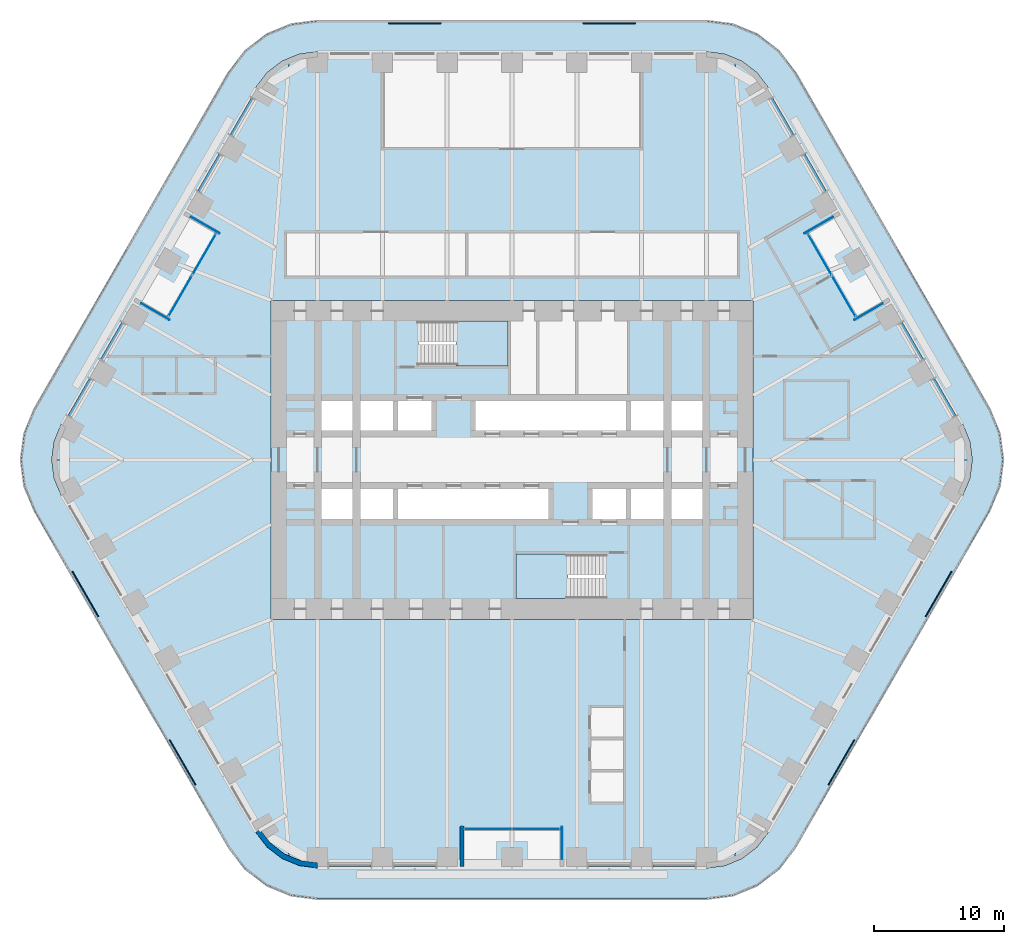
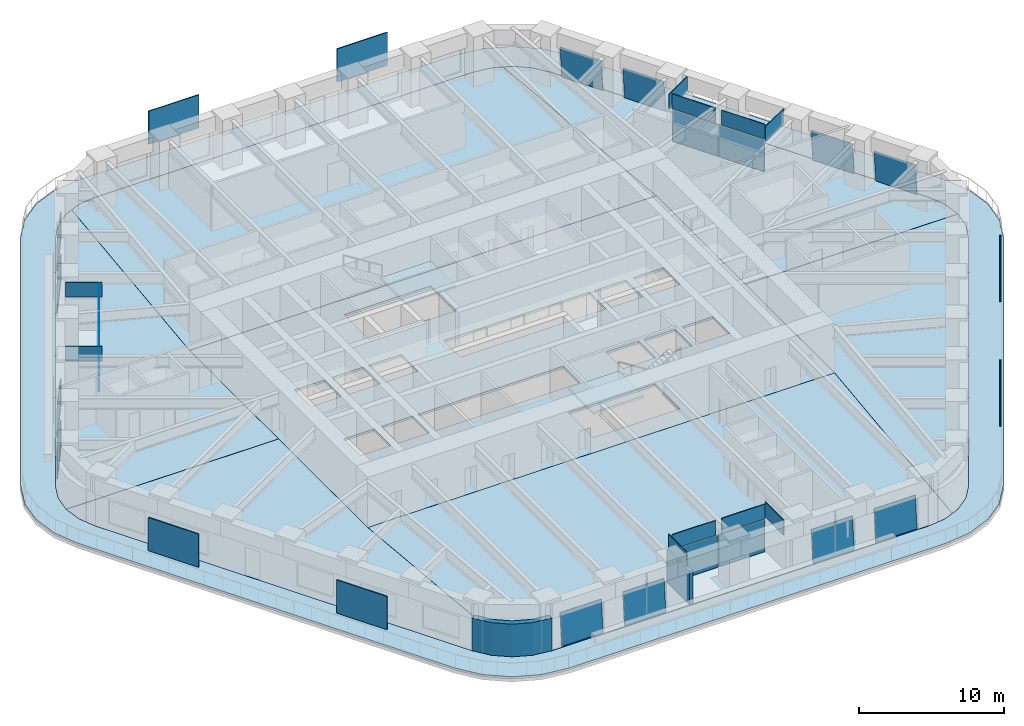
# One storey, part 16 of 24: 36 plates, 10 slabs, 2 walls, 17 elements without a shape of their own.
"""IFC4 building model written with IfcOpenShell, lengths in metres."""

from ifc_helpers import new_model, si_unit, direction, frame, frame_2d, origin, origin_2d, place, context, subcontext, project, spatial, polyline, rectangle, outline, extrude, material, layer, layer_set, type_object, element, aggregate, save


model = new_model("IFC4")

# Units and contexts
model_context = context("Model", 3, precision=1e-05, world=origin(), true_north=direction((0.0, 1.0)))
body_context = subcontext(model_context, "Body", "Model", "MODEL_VIEW")
ifc_project = project(units=[si_unit("LENGTHUNIT", "METRE"), si_unit("AREAUNIT", "SQUARE_METRE"), si_unit("VOLUMEUNIT", "CUBIC_METRE"), si_unit("PLANEANGLEUNIT", "RADIAN"), si_unit("MASSUNIT", "GRAM", prefix="KILO")], contexts=[model_context])

# Site, building, storey
site_placement = place(None, origin())
site = spatial("IfcSite", under=ifc_project, at=site_placement, CompositionType="ELEMENT")
building_placement = place(site_placement, origin())
building = spatial("IfcBuilding", under=site, at=building_placement, Name="Tarfa Lantern Tower", CompositionType="ELEMENT")
storey_placement = place(building_placement, frame((0.0, 0.0, 144.699951171875)))
storey = spatial("IfcBuildingStorey", under=building, at=storey_placement, Name="L32", CompositionType="ELEMENT", Elevation=144.699951171875)

# Slab
ifc_material_1 = material(Name="Concrete C40/50", Category="concrete")
ifc_layer_1 = layer(ifc_material_1, 0.199951171875)
ifc_layer_set_1 = layer_set([ifc_layer_1], Name="BS2 BALCONY SLAB 200")
slab_type_1 = type_object("IfcSlabType", Name="BS2 BALCONY SLAB 200", PredefinedType="FLOOR", material=ifc_layer_set_1)
slab_1_placement = place(storey_placement, frame((0.0, 0.0, -0.199951171875)))
element("IfcSlab", 1, at=slab_1_placement, inside=storey, type_object=slab_type_1, Name="Balcony L32", PredefinedType="FLOOR", context=body_context, shape_type="SweptSolid", body=[
    extrude(outline(polyline([(36.86376953125, 3.949951171875), (21.852783203125, 29.949951171875), (20.59716796875, 31.586181640625), (18.961181640625, 32.841552734375), (17.0556640625, 33.630859375), (15.010986328125, 33.89990234375), (-15.010986328125, 33.89990234375), (-17.0556640625, 33.630859375), (-18.961181640625, 32.841552734375), (-20.59716796875, 31.586181640625), (-21.852783203125, 29.949951171875), (-36.86376953125, 3.949951171875), (-37.653076171875, 2.044677734375), (-37.922119140625, 0.0), (-37.653076171875, -2.044677734375), (-36.86376953125, -3.949951171875), (-21.852783203125, -29.949951171875), (-20.59716796875, -31.586181640625), (-18.961181640625, -32.841552734375), (-17.0556640625, -33.630859375), (-15.010986328125, -33.89990234375), (15.010986328125, -33.89990234375), (17.0556640625, -33.630859375), (18.961181640625, -32.841552734375), (20.59716796875, -31.586181640625), (21.852783203125, -29.949951171875), (36.86376953125, -3.949951171875), (37.653076171875, -2.044677734375), (37.922119140625, 0.0), (37.653076171875, 2.044677734375), (36.86376953125, 3.949951171875)]), holes=[polyline([(34.785400390625, 2.75), (19.774169921875, 28.75), (18.900146484375, 29.88916015625), (17.760986328125, 30.76318359375), (16.4345703125, 31.3125), (15.010986328125, 31.5), (-15.010986328125, 31.5), (-16.4345703125, 31.3125), (-17.760986328125, 30.76318359375), (-18.900146484375, 29.88916015625), (-19.774169921875, 28.75), (-34.785400390625, 2.75), (-35.334716796875, 1.423583984375), (-35.522216796875, 0.0), (-35.334716796875, -1.423583984375), (-34.785400390625, -2.75), (-19.774169921875, -28.75), (-18.900146484375, -29.88916015625), (-17.760986328125, -30.76318359375), (-16.4345703125, -31.3125), (-15.010986328125, -31.5), (15.010986328125, -31.5), (16.4345703125, -31.3125), (17.760986328125, -30.76318359375), (18.900146484375, -29.88916015625), (19.774169921875, -28.75), (34.785400390625, -2.75), (35.334716796875, -1.423583984375), (35.522216796875, 0.0), (35.334716796875, 1.423583984375), (34.785400390625, 2.75)])]), origin(), (0.0, 0.0, 1.0), 0.199951171875),
])

# Curtain wall, plate
ifc_material_2 = material(Name="Aluminium framed curtain wall", Category="aluminium")
curtain_wall_type_1 = type_object("IfcCurtainWallType", Name="CW2 CANTED GLAZING MID ZONE 2750", PredefinedType="USERDEFINED", material=ifc_material_2)
curtain_wall_1_placement = place(storey_placement, origin())
curtain_wall_1 = element("IfcCurtainWall", 2, at=curtain_wall_1_placement, inside=storey, type_object=curtain_wall_type_1, Name="CW2 NE L32", ObjectType="CURTAIN WALL", PredefinedType="USERDEFINED")
ifc_material_3 = material(Name="Laminated double glazing", Category="glass")
ifc_layer_2 = layer(ifc_material_3, 0.028076171875)
ifc_layer_set_2 = layer_set([ifc_layer_2], Name="CWP1 DOUBLE GLAZED PANEL")
plate_type_1 = type_object("IfcPlateType", Name="CWP1 DOUBLE GLAZED PANEL", PredefinedType="CURTAIN_PANEL", material=ifc_layer_set_2)
plate_1_placement = place(storey_placement, frame((34.266357421875, 3.44921875, 0.0), z_axis=(0.862441677575, 0.497990996223, 0.09055009919), x_axis=(-0.500045231271, 0.865999287923, 0.0)))
plate_1 = element("IfcPlate", 3, at=plate_1_placement, type_object=plate_type_1, Name="CW2 panel 1.1", PredefinedType="CURTAIN_PANEL", context=body_context, shape_type="SweptSolid", body=[
    extrude(outline(polyline([(0.0, 0.0), (3.2736296403891254, -2.7755575615628914e-17), (3.273639290369484, 2.696134580088432), (9.64998035858606e-06, 2.696134580088432), (0.0, 0.0)])), origin(), (0.0, 0.0, -1.0), 0.028076171875),
])
aggregate(curtain_wall_1, [plate_1])

curtain_wall_2_placement = place(storey_placement, origin())
curtain_wall_2 = element("IfcCurtainWall", 4, at=curtain_wall_2_placement, inside=storey, type_object=curtain_wall_type_1, Name="CW2 NE L32", ObjectType="CURTAIN WALL", PredefinedType="USERDEFINED")
plate_2_placement = place(storey_placement, frame((31.764404296875, 7.782470703125, 0.0), z_axis=(0.862479387985, 0.497932752669, 0.090511209914), x_axis=(-0.499985201727, 0.866033947398, 2.910741e-06)))
plate_2 = element("IfcPlate", 5, at=plate_2_placement, type_object=plate_type_1, Name="CW2 panel 1.1", PredefinedType="CURTAIN_PANEL", context=body_context, shape_type="SweptSolid", body=[
    extrude(outline(polyline([(0.0, 0.0), (3.2738410665798376, 0.0), (3.273719542684435, 2.696115441250439), (5.428042382078573e-07, 2.696134578050012), (0.0, 0.0)])), origin(), (0.0, 0.0, -1.0), 0.028076171875),
])
aggregate(curtain_wall_2, [plate_2])

curtain_wall_3_placement = place(storey_placement, origin())
curtain_wall_3 = element("IfcCurtainWall", 6, at=curtain_wall_3_placement, inside=storey, type_object=curtain_wall_type_1, Name="CW2 NEB L32", ObjectType="CURTAIN WALL", PredefinedType="USERDEFINED")
plate_3_placement = place(storey_placement, frame((24.2587890625, 20.782470703125, 0.0), z_axis=(0.862492405459, 0.49790313323, 0.090550099086), x_axis=(-0.499957005835, 0.866050225054, 0.0)))
plate_3 = element("IfcPlate", 7, at=plate_3_placement, type_object=plate_type_1, Name="CW2 panel 1.1", PredefinedType="CURTAIN_PANEL", context=body_context, shape_type="SweptSolid", body=[
    extrude(outline(polyline([(0.0, 0.0), (3.273719001629088, 0.0), (3.2737037805661293, 2.6961345800627363), (-1.5221062958495346e-05, 2.6961345800627363), (0.0, 0.0)])), origin(), (0.0, 0.0, -1.0), 0.028076171875),
])
aggregate(curtain_wall_3, [plate_3])

curtain_wall_4_placement = place(storey_placement, origin())
curtain_wall_4 = element("IfcCurtainWall", 8, at=curtain_wall_4_placement, inside=storey, type_object=curtain_wall_type_1, Name="CW2 NEB L32", ObjectType="CURTAIN WALL", PredefinedType="USERDEFINED")
plate_4_placement = place(storey_placement, frame((21.757080078125, 25.11572265625, 0.0), z_axis=(0.862460247027, 0.49795883547, 0.09055009926), x_axis=(-0.500012937857, 0.86601793398, 0.0)))
plate_4 = element("IfcPlate", 9, at=plate_4_placement, type_object=plate_type_1, Name="CW2 panel 1.1", PredefinedType="CURTAIN_PANEL", context=body_context, shape_type="SweptSolid", body=[
    extrude(outline(polyline([(0.0, 0.0), (3.2738410682727324, -2.7755575615628914e-17), (3.27384161446276, 2.6961345801056464), (5.461900275667914e-07, 2.6961345801056464), (0.0, 0.0)])), origin(), (0.0, 0.0, -1.0), 0.028076171875),
])
aggregate(curtain_wall_4, [plate_4])

# Curtain wall, plates
curtain_wall_type_2 = type_object("IfcCurtainWallType", Name="CW10 LOGGIA GLAZING 2750", PredefinedType="USERDEFINED", material=ifc_material_2)
curtain_wall_5_placement = place(storey_placement, origin())
curtain_wall_5 = element("IfcCurtainWall", 10, at=curtain_wall_5_placement, inside=storey, type_object=curtain_wall_type_2, Name="CW10 NEL L32", ObjectType="CURTAIN WALL", PredefinedType="USERDEFINED")
plate_5_placement = place(storey_placement, frame((25.599609375, 12.660400390625, 0.0), z_axis=(0.0, 0.0, 1.0), x_axis=(-0.5, 0.866025403784, 0.0)))
plate_5 = element("IfcPlate", 11, at=plate_5_placement, type_object=plate_type_1, Name="CW10 panel 1.1", PredefinedType="CURTAIN_PANEL", context=body_context, shape_type="SweptSolid", body=[
    extrude(rectangle(XDim=3.606201171875, YDim=0.028076171875, at=origin_2d()), origin(), (0.0, 0.0, 1.0), 2.68505859375),
])
plate_6_placement = place(storey_placement, frame((23.763916015625, 15.839599609375, 0.0), z_axis=(0.0, 0.0, 1.0), x_axis=(-0.5, 0.866025403784, 0.0)))
plate_6 = element("IfcPlate", 12, at=plate_6_placement, type_object=plate_type_1, Name="CW10 panel 2.1", PredefinedType="CURTAIN_PANEL", context=body_context, shape_type="SweptSolid", body=[
    extrude(rectangle(XDim=3.606201171875, YDim=0.028076171875, at=origin_2d()), origin(), (0.0, 0.0, 1.0), 2.68505859375),
])
aggregate(curtain_wall_5, [plate_5, plate_6])

# Curtain wall, plate
curtain_wall_6_placement = place(storey_placement, origin())
curtain_wall_6 = element("IfcCurtainWall", 13, at=curtain_wall_6_placement, inside=storey, type_object=curtain_wall_type_1, Name="CW2 NW L32", ObjectType="CURTAIN WALL", PredefinedType="USERDEFINED")
plate_7_placement = place(storey_placement, frame((-20.1201171875, 27.950927734375, 0.0), z_axis=(-0.862460247027, 0.49795883547, 0.09055009926), x_axis=(-0.500012937857, -0.86601793398, 0.0)))
plate_7 = element("IfcPlate", 14, at=plate_7_placement, type_object=plate_type_1, Name="CW2 panel 1.1", PredefinedType="CURTAIN_PANEL", context=body_context, shape_type="SweptSolid", body=[
    extrude(outline(polyline([(0.0, 0.0), (3.2738410682727324, 2.7755575615628914e-17), (3.273840522082705, 2.6961345801056464), (-5.461900275667914e-07, 2.6961345801056464), (0.0, 0.0)])), origin(), (0.0, 0.0, -1.0), 0.028076171875),
])
aggregate(curtain_wall_6, [plate_7])

curtain_wall_7_placement = place(storey_placement, origin())
curtain_wall_7 = element("IfcCurtainWall", 15, at=curtain_wall_7_placement, inside=storey, type_object=curtain_wall_type_1, Name="CW2 NW L32", ObjectType="CURTAIN WALL", PredefinedType="USERDEFINED")
plate_8_placement = place(storey_placement, frame((-22.6220703125, 23.61767578125, 0.0), z_axis=(-0.862492405459, 0.49790313323, 0.090550099086), x_axis=(-0.499957005835, -0.866050225054, 0.0)))
plate_8 = element("IfcPlate", 16, at=plate_8_placement, type_object=plate_type_1, Name="CW2 panel 1.1", PredefinedType="CURTAIN_PANEL", context=body_context, shape_type="SweptSolid", body=[
    extrude(outline(polyline([(0.0, 0.0), (3.273719001629088, 0.0), (3.2737342226920463, 2.6961345800627363), (1.5221062958495346e-05, 2.6961345800627363), (0.0, 0.0)])), origin(), (0.0, 0.0, -1.0), 0.028076171875),
])
aggregate(curtain_wall_7, [plate_8])

curtain_wall_8_placement = place(storey_placement, origin())
curtain_wall_8 = element("IfcCurtainWall", 17, at=curtain_wall_8_placement, inside=storey, type_object=curtain_wall_type_1, Name="CW2 NWB L32", ObjectType="CURTAIN WALL", PredefinedType="USERDEFINED")
plate_9_placement = place(storey_placement, frame((-30.12744140625, 10.61767578125, 0.0), z_axis=(-0.862479387985, 0.497932752669, 0.090511209914), x_axis=(-0.499985201727, -0.866033947398, -2.910741e-06)))
plate_9 = element("IfcPlate", 18, at=plate_9_placement, type_object=plate_type_1, Name="CW2 panel 1.1", PredefinedType="CURTAIN_PANEL", context=body_context, shape_type="SweptSolid", body=[
    extrude(outline(polyline([(0.0, 0.0), (3.2738410665798376, 0.0), (3.2738405237755996, 2.696134578050012), (0.00012152389540222507, 2.6961154412504387), (0.0, 0.0)])), origin(), (0.0, 0.0, -1.0), 0.028076171875),
])
aggregate(curtain_wall_8, [plate_9])

curtain_wall_9_placement = place(storey_placement, origin())
curtain_wall_9 = element("IfcCurtainWall", 19, at=curtain_wall_9_placement, inside=storey, type_object=curtain_wall_type_1, Name="CW2 NWB L32", ObjectType="CURTAIN WALL", PredefinedType="USERDEFINED")
plate_10_placement = place(storey_placement, frame((-32.62939453125, 6.2841796875, 0.0), z_axis=(-0.862441677575, 0.497990996223, 0.09055009919), x_axis=(-0.500045231271, -0.865999287923, 0.0)))
plate_10 = element("IfcPlate", 20, at=plate_10_placement, type_object=plate_type_1, Name="CW2 panel 1.1", PredefinedType="CURTAIN_PANEL", context=body_context, shape_type="SweptSolid", body=[
    extrude(outline(polyline([(0.0, 0.0), (3.2736296403891254, 2.7755575615628914e-17), (3.273619990408767, 2.696134580088432), (-9.64998035858606e-06, 2.696134580088432), (0.0, 0.0)])), origin(), (0.0, 0.0, -1.0), 0.028076171875),
])
aggregate(curtain_wall_9, [plate_10])

# Curtain wall, plates
curtain_wall_10_placement = place(storey_placement, origin())
curtain_wall_10 = element("IfcCurtainWall", 21, at=curtain_wall_10_placement, inside=storey, type_object=curtain_wall_type_2, Name="CW10 NWL L32", ObjectType="CURTAIN WALL", PredefinedType="USERDEFINED")
plate_11_placement = place(storey_placement, frame((-23.763916015625, 15.839599609375, 0.0), z_axis=(0.0, 0.0, 1.0), x_axis=(-0.5, -0.866025403784, 0.0)))
plate_11 = element("IfcPlate", 22, at=plate_11_placement, type_object=plate_type_1, Name="CW10 panel 1.1", PredefinedType="CURTAIN_PANEL", context=body_context, shape_type="SweptSolid", body=[
    extrude(rectangle(XDim=3.606201171875, YDim=0.028076171875, at=origin_2d()), origin(), (0.0, 0.0, 1.0), 2.68505859375),
])
plate_12_placement = place(storey_placement, frame((-25.599609375, 12.660400390625, 0.0), z_axis=(0.0, 0.0, 1.0), x_axis=(-0.5, -0.866025403784, 0.0)))
plate_12 = element("IfcPlate", 23, at=plate_12_placement, type_object=plate_type_1, Name="CW10 panel 2.1", PredefinedType="CURTAIN_PANEL", context=body_context, shape_type="SweptSolid", body=[
    extrude(rectangle(XDim=3.606201171875, YDim=0.028076171875, at=origin_2d()), origin(), (0.0, 0.0, 1.0), 2.68505859375),
])
aggregate(curtain_wall_10, [plate_11, plate_12])

# Curtain wall, plate
curtain_wall_11_placement = place(storey_placement, origin())
curtain_wall_11 = element("IfcCurtainWall", 24, at=curtain_wall_11_placement, inside=storey, type_object=curtain_wall_type_1, Name="CW2 S L32", ObjectType="CURTAIN WALL", PredefinedType="USERDEFINED")
plate_13_placement = place(storey_placement, frame((-14.14599609375, -31.39990234375, 0.0), z_axis=(0.0, -0.995899883883, 0.090462264412), x_axis=(1.0, 0.0, 0.0)))
plate_13 = element("IfcPlate", 25, at=plate_13_placement, type_object=plate_type_1, Name="CW2 panel 1.1", PredefinedType="CURTAIN_PANEL", context=body_context, shape_type="SweptSolid", body=[
    extrude(outline(polyline([(0.0, 0.0), (3.273681640625, 0.0), (3.273681640625, 2.6961129699923947), (0.0, 2.6961129699923947), (0.0, 0.0)])), origin(), (0.0, 0.0, -1.0), 0.028076171875),
])
aggregate(curtain_wall_11, [plate_13])

curtain_wall_12_placement = place(storey_placement, origin())
curtain_wall_12 = element("IfcCurtainWall", 26, at=curtain_wall_12_placement, inside=storey, type_object=curtain_wall_type_1, Name="CW2 S L32", ObjectType="CURTAIN WALL", PredefinedType="USERDEFINED")
plate_14_placement = place(storey_placement, frame((-9.142333984375, -31.39990234375, 0.0), z_axis=(0.0, -0.995899883883, 0.090462264412), x_axis=(1.0, 0.0, 0.0)))
plate_14 = element("IfcPlate", 27, at=plate_14_placement, type_object=plate_type_1, Name="CW2 panel 1.1", PredefinedType="CURTAIN_PANEL", context=body_context, shape_type="SweptSolid", body=[
    extrude(outline(polyline([(0.0, 0.0), (3.273681640625, 0.0), (3.273681640625, 2.6961129699923947), (0.0, 2.6961129699923947), (0.0, 0.0)])), origin(), (0.0, 0.0, -1.0), 0.028076171875),
])
aggregate(curtain_wall_12, [plate_14])

curtain_wall_13_placement = place(storey_placement, origin())
curtain_wall_13 = element("IfcCurtainWall", 28, at=curtain_wall_13_placement, inside=storey, type_object=curtain_wall_type_1, Name="CW2 SB L32", ObjectType="CURTAIN WALL", PredefinedType="USERDEFINED")
plate_15_placement = place(storey_placement, frame((5.86865234375, -31.39990234375, 0.0), z_axis=(0.0, -0.995899883883, 0.090462264412), x_axis=(1.0, 0.0, 0.0)))
plate_15 = element("IfcPlate", 29, at=plate_15_placement, type_object=plate_type_1, Name="CW2 panel 1.1", PredefinedType="CURTAIN_PANEL", context=body_context, shape_type="SweptSolid", body=[
    extrude(outline(polyline([(0.0, 0.0), (3.273681640625, 0.0), (3.273681640625, 2.6961129699923947), (0.0, 2.6961129699923947), (0.0, 0.0)])), origin(), (0.0, 0.0, -1.0), 0.028076171875),
])
aggregate(curtain_wall_13, [plate_15])

curtain_wall_14_placement = place(storey_placement, origin())
curtain_wall_14 = element("IfcCurtainWall", 30, at=curtain_wall_14_placement, inside=storey, type_object=curtain_wall_type_1, Name="CW2 SB L32", ObjectType="CURTAIN WALL", PredefinedType="USERDEFINED")
plate_16_placement = place(storey_placement, frame((10.872314453125, -31.39990234375, 0.0), z_axis=(0.0, -0.995899883883, 0.090462264412), x_axis=(1.0, 0.0, 0.0)))
plate_16 = element("IfcPlate", 31, at=plate_16_placement, type_object=plate_type_1, Name="CW2 panel 1.1", PredefinedType="CURTAIN_PANEL", context=body_context, shape_type="SweptSolid", body=[
    extrude(outline(polyline([(0.0, 0.0), (3.273681640625, 0.0), (3.273681640625, 2.6961129699923947), (0.0, 2.6961129699923947), (0.0, 0.0)])), origin(), (0.0, 0.0, -1.0), 0.028076171875),
])
aggregate(curtain_wall_14, [plate_16])

# Curtain wall, plates
curtain_wall_15_placement = place(storey_placement, origin())
curtain_wall_15 = element("IfcCurtainWall", 32, at=curtain_wall_15_placement, inside=storey, type_object=curtain_wall_type_2, Name="CW10 SL L32", ObjectType="CURTAIN WALL", PredefinedType="USERDEFINED")
plate_17_placement = place(storey_placement, frame((-1.835693359375, -28.5, 0.0), z_axis=(0.0, 0.0, 1.0), x_axis=(1.0, 0.0, 0.0)))
plate_17 = element("IfcPlate", 33, at=plate_17_placement, type_object=plate_type_1, Name="CW10 panel 1.1", PredefinedType="CURTAIN_PANEL", context=body_context, shape_type="SweptSolid", body=[
    extrude(rectangle(XDim=3.606201171875, YDim=0.028076171875, at=origin_2d()), origin(), (0.0, 0.0, 1.0), 2.68505859375),
])
plate_18_placement = place(storey_placement, frame((1.835693359375, -28.5, 0.0), z_axis=(0.0, 0.0, 1.0), x_axis=(1.0, 0.0, 0.0)))
plate_18 = element("IfcPlate", 34, at=plate_18_placement, type_object=plate_type_1, Name="CW10 panel 2.1", PredefinedType="CURTAIN_PANEL", context=body_context, shape_type="SweptSolid", body=[
    extrude(rectangle(XDim=3.606201171875, YDim=0.028076171875, at=origin_2d()), origin(), (0.0, 0.0, 1.0), 2.68505859375),
])
aggregate(curtain_wall_15, [plate_17, plate_18])

# Slabs
ifc_layer_3 = layer(ifc_material_1, 0.199951171875)
ifc_layer_set_3 = layer_set([ifc_layer_3], Name="FS1 FLOOR SLAB 200")
slab_type_2 = type_object("IfcSlabType", Name="FS1 FLOOR SLAB 200", PredefinedType="FLOOR", material=ifc_layer_set_3)
slab_2_placement = place(storey_placement, frame((0.0, 0.0, -0.199951171875)))
element("IfcSlab", 35, at=slab_2_placement, inside=storey, type_object=slab_type_2, Name="Floor slab L32", PredefinedType="FLOOR", context=body_context, shape_type="SweptSolid", body=[
    extrude(outline(polyline([(-18.60009765625, -12.300048828125), (18.60009765625, -12.300048828125), (18.60009765625, 12.300048828125), (-18.60009765625, 12.300048828125), (-18.60009765625, -12.300048828125)]), holes=[polyline([(-14.699951171875, 2.25), (-12.300048828125, 2.25), (-12.300048828125, 4.550048828125), (-14.699951171875, 4.550048828125), (-14.699951171875, 2.25)]), polyline([(-11.699951171875, 2.25), (-9.199951171875, 2.25), (-9.199951171875, 4.550048828125), (-11.699951171875, 4.550048828125), (-11.699951171875, 2.25)]), polyline([(-8.800048828125, 2.25), (-6.199951171875, 2.25), (-6.199951171875, 4.550048828125), (-8.800048828125, 4.550048828125), (-8.800048828125, 2.25)]), polyline([(-2.800048828125, 2.25), (8.800048828125, 2.25), (8.800048828125, 4.550048828125), (-2.800048828125, 4.550048828125), (-2.800048828125, 2.25)]), polyline([(9.199951171875, 2.25), (11.699951171875, 2.25), (11.699951171875, 4.550048828125), (9.199951171875, 4.550048828125), (9.199951171875, 2.25)]), polyline([(12.300048828125, 2.25), (14.699951171875, 2.25), (14.699951171875, 4.550048828125), (12.300048828125, 4.550048828125), (12.300048828125, 2.25)]), polyline([(14.699951171875, -2.25), (12.300048828125, -2.25), (12.300048828125, -4.550048828125), (14.699951171875, -4.550048828125), (14.699951171875, -2.25)]), polyline([(11.699951171875, -2.25), (9.199951171875, -2.25), (9.199951171875, -4.550048828125), (11.699951171875, -4.550048828125), (11.699951171875, -2.25)]), polyline([(8.800048828125, -2.25), (6.199951171875, -2.25), (6.199951171875, -4.550048828125), (8.800048828125, -4.550048828125), (8.800048828125, -2.25)]), polyline([(2.800048828125, -2.25), (-8.800048828125, -2.25), (-8.800048828125, -4.550048828125), (2.800048828125, -4.550048828125), (2.800048828125, -2.25)]), polyline([(-9.199951171875, -2.25), (-11.699951171875, -2.25), (-11.699951171875, -4.550048828125), (-9.199951171875, -4.550048828125), (-9.199951171875, -2.25)]), polyline([(-12.300048828125, -2.25), (-14.699951171875, -2.25), (-14.699951171875, -4.550048828125), (-12.300048828125, -4.550048828125), (-12.300048828125, -2.25)]), polyline([(-7.199951171875, 7.25), (-0.300048828125, 7.25), (-0.300048828125, 10.699951171875), (-7.199951171875, 10.699951171875), (-7.199951171875, 7.25)]), polyline([(7.199951171875, -7.25), (0.300048828125, -7.25), (0.300048828125, -10.699951171875), (7.199951171875, -10.699951171875), (7.199951171875, -7.25)])]), origin(), (0.0, 0.0, 1.0), 0.199951171875),
])
slab_3_placement = place(storey_placement, frame((0.0, 0.0, -0.199951171875)))
element("IfcSlab", 36, at=slab_3_placement, inside=storey, type_object=slab_type_2, Name="Floor slab L32 NE bay", PredefinedType="FLOOR", context=body_context, shape_type="SweptSolid", body=[
    extrude(outline(polyline([(34.783447265625, 2.7490234375), (19.7724609375, 28.748779296875), (18.898681640625, 29.8876953125), (17.760009765625, 30.761474609375), (17.19189453125, 30.996826171875), (18.60205078125, 12.300048828125), (18.60205078125, 0.001953125), (35.52001953125, 0.001953125), (35.332763671875, 1.423095703125), (34.783447265625, 2.7490234375)])), origin(), (0.0, 0.0, 1.0), 0.199951171875),
])
slab_4_placement = place(storey_placement, frame((0.0, 0.0, -0.199951171875)))
element("IfcSlab", 37, at=slab_4_placement, inside=storey, type_object=slab_type_2, Name="Floor slab L32 N bay", PredefinedType="FLOOR", context=body_context, shape_type="SweptSolid", body=[
    extrude(outline(polyline([(-18.597900390625, 12.302001953125), (18.597900390625, 12.302001953125), (17.187744140625, 30.99853515625), (16.43408203125, 31.310546875), (15.010986328125, 31.498046875), (-15.010986328125, 31.498046875), (-16.43408203125, 31.310546875), (-17.187744140625, 30.99853515625), (-18.597900390625, 12.302001953125)])), origin(), (0.0, 0.0, 1.0), 0.199951171875),
])
slab_5_placement = place(storey_placement, frame((0.0, 0.0, -0.199951171875)))
element("IfcSlab", 38, at=slab_5_placement, inside=storey, type_object=slab_type_2, Name="Floor slab L32 NW bay", PredefinedType="FLOOR", context=body_context, shape_type="SweptSolid", body=[
    extrude(outline(polyline([(-18.60205078125, 0.001953125), (-18.60205078125, 12.300048828125), (-17.19189453125, 30.996826171875), (-17.760009765625, 30.761474609375), (-18.898681640625, 29.8876953125), (-19.7724609375, 28.748779296875), (-34.783447265625, 2.7490234375), (-35.332763671875, 1.423095703125), (-35.52001953125, 0.001953125), (-18.60205078125, 0.001953125)])), origin(), (0.0, 0.0, 1.0), 0.199951171875),
])
slab_6_placement = place(storey_placement, frame((0.0, 0.0, -0.199951171875)))
element("IfcSlab", 39, at=slab_6_placement, inside=storey, type_object=slab_type_2, Name="Floor slab L32 SW bay", PredefinedType="FLOOR", context=body_context, shape_type="SweptSolid", body=[
    extrude(outline(polyline([(-18.60205078125, -12.300048828125), (-18.60205078125, -0.001953125), (-35.52001953125, -0.001953125), (-35.332763671875, -1.423095703125), (-34.783447265625, -2.7490234375), (-19.7724609375, -28.748779296875), (-18.898681640625, -29.8876953125), (-17.760009765625, -30.761474609375), (-17.19189453125, -30.996826171875), (-18.60205078125, -12.300048828125)])), origin(), (0.0, 0.0, 1.0), 0.199951171875),
])
slab_7_placement = place(storey_placement, frame((0.0, 0.0, -0.199951171875)))
element("IfcSlab", 40, at=slab_7_placement, inside=storey, type_object=slab_type_2, Name="Floor slab L32 S bay", PredefinedType="FLOOR", context=body_context, shape_type="SweptSolid", body=[
    extrude(outline(polyline([(18.597900390625, -12.302001953125), (-18.597900390625, -12.302001953125), (-17.187744140625, -30.99853515625), (-16.43408203125, -31.310546875), (-15.010986328125, -31.498046875), (15.010986328125, -31.498046875), (16.43408203125, -31.310546875), (17.187744140625, -30.99853515625), (18.597900390625, -12.302001953125)])), origin(), (0.0, 0.0, 1.0), 0.199951171875),
])
slab_8_placement = place(storey_placement, frame((0.0, 0.0, -0.199951171875)))
element("IfcSlab", 41, at=slab_8_placement, inside=storey, type_object=slab_type_2, Name="Floor slab L32 SE bay", PredefinedType="FLOOR", context=body_context, shape_type="SweptSolid", body=[
    extrude(outline(polyline([(18.60205078125, -0.001953125), (18.60205078125, -12.300048828125), (17.19189453125, -30.996826171875), (17.760009765625, -30.761474609375), (18.898681640625, -29.8876953125), (19.7724609375, -28.748779296875), (34.783447265625, -2.7490234375), (35.332763671875, -1.423095703125), (35.52001953125, -0.001953125), (18.60205078125, -0.001953125)])), origin(), (0.0, 0.0, 1.0), 0.199951171875),
])

# Plates
ifc_material_4 = material(Name="Aluminium fascia panel", Category="aluminium")
ifc_layer_4 = layer(ifc_material_4, 0.050048828125)
ifc_layer_set_4 = layer_set([ifc_layer_4], Name="LF1 LOGGIA HEAD FASCIA 50")
plate_type_2 = type_object("IfcPlateType", Name="LF1 LOGGIA HEAD FASCIA 50", PredefinedType="USERDEFINED", material=ifc_layer_set_4)
for number, where, z_axis, x_axis, name in (
    (42, (25.670166015625, 12.5380859375, 2.75), (0.0, 0.0, 1.0), (-0.5, 0.866025403784, 0.0), "Loggia head fascia NE"),
    (43, (23.693359375, 15.9619140625, 2.75), (0.0, 0.0, 1.0), (-0.5, 0.866025403784, 0.0), "Loggia head fascia NE"),
):
    element("IfcPlate", number, at=place(storey_placement, frame(where, z_axis=z_axis, x_axis=x_axis)), inside=storey, type_object=plate_type_2, Name=name, ObjectType="FASCIA", PredefinedType="USERDEFINED", context=body_context, shape_type="SweptSolid", body=[
        extrude(rectangle(XDim=3.45361328125, YDim=0.050048828125, at=origin_2d()), origin(), (0.0, 0.0, 1.0), 1.25),
    ])
for number, where, z_axis, x_axis, name in (
    (44, (27.526611328125, 11.442626953125, 2.75), (0.0, 0.0, 1.0), (-0.866025403784, -0.5, 0.0), "Loggia head fascia NE"),
    (45, (23.6728515625, 18.117431640625, 2.75), (0.0, 0.0, 1.0), (-0.866025403784, -0.5, 0.0), "Loggia head fascia NE"),
):
    element("IfcPlate", number, at=place(storey_placement, frame(where, z_axis=z_axis, x_axis=x_axis)), inside=storey, type_object=plate_type_2, Name=name, ObjectType="FASCIA", PredefinedType="USERDEFINED", context=body_context, shape_type="SweptSolid", body=[
        extrude(rectangle(XDim=2.52001953125, YDim=0.050048828125, at=origin_2d()), origin(), (0.0, 0.0, 1.0), 1.25),
    ])
for number, where, z_axis, x_axis, name in (
    (46, (-23.693359375, 15.9619140625, 2.75), (0.0, 0.0, 1.0), (-0.5, -0.866025403784, 0.0), "Loggia head fascia NW"),
    (47, (-25.670166015625, 12.5380859375, 2.75), (0.0, 0.0, 1.0), (-0.5, -0.866025403784, 0.0), "Loggia head fascia NW"),
):
    element("IfcPlate", number, at=place(storey_placement, frame(where, z_axis=z_axis, x_axis=x_axis)), inside=storey, type_object=plate_type_2, Name=name, ObjectType="FASCIA", PredefinedType="USERDEFINED", context=body_context, shape_type="SweptSolid", body=[
        extrude(rectangle(XDim=3.45361328125, YDim=0.050048828125, at=origin_2d()), origin(), (0.0, 0.0, 1.0), 1.25),
    ])
for number, where, z_axis, x_axis, name in (
    (48, (-23.6728515625, 18.117431640625, 2.75), (0.0, 0.0, 1.0), (0.866025403784, -0.5, 0.0), "Loggia head fascia NW"),
    (49, (-27.526611328125, 11.442626953125, 2.75), (0.0, 0.0, 1.0), (0.866025403784, -0.5, 0.0), "Loggia head fascia NW"),
):
    element("IfcPlate", number, at=place(storey_placement, frame(where, z_axis=z_axis, x_axis=x_axis)), inside=storey, type_object=plate_type_2, Name=name, ObjectType="FASCIA", PredefinedType="USERDEFINED", context=body_context, shape_type="SweptSolid", body=[
        extrude(rectangle(XDim=2.52001953125, YDim=0.050048828125, at=origin_2d()), origin(), (0.0, 0.0, 1.0), 1.25),
    ])
for number, where, z_axis, x_axis, name in (
    (50, (-1.976806640625, -28.5, 2.75), (0.0, 0.0, 1.0), (1.0, 0.0, 0.0), "Loggia head fascia S"),
    (51, (1.976806640625, -28.5, 2.75), (0.0, 0.0, 1.0), (1.0, 0.0, 0.0), "Loggia head fascia S"),
):
    element("IfcPlate", number, at=place(storey_placement, frame(where, z_axis=z_axis, x_axis=x_axis)), inside=storey, type_object=plate_type_2, Name=name, ObjectType="FASCIA", PredefinedType="USERDEFINED", context=body_context, shape_type="SweptSolid", body=[
        extrude(rectangle(XDim=3.45361328125, YDim=0.050048828125, at=origin_2d()), origin(), (0.0, 0.0, 1.0), 1.25),
    ])
for number, where, z_axis, x_axis, name in (
    (52, (-3.853759765625, -29.56005859375, 2.75), (0.0, 0.0, 1.0), (0.0, 1.0, 0.0), "Loggia head fascia S"),
    (53, (3.853759765625, -29.56005859375, 2.75), (0.0, 0.0, 1.0), (0.0, 1.0, 0.0), "Loggia head fascia S"),
):
    element("IfcPlate", number, at=place(storey_placement, frame(where, z_axis=z_axis, x_axis=x_axis)), inside=storey, type_object=plate_type_2, Name=name, ObjectType="FASCIA", PredefinedType="USERDEFINED", context=body_context, shape_type="SweptSolid", body=[
        extrude(rectangle(XDim=2.52001953125, YDim=0.050048828125, at=origin_2d()), origin(), (0.0, 0.0, 1.0), 1.25),
    ])
ifc_material_5 = material(Name="Perforated limestone screen", Category="masonry")
ifc_layer_5 = layer(ifc_material_5, 0.080078125)
ifc_layer_set_5 = layer_set([ifc_layer_5], Name="SC1 STONE SCREEN 80")
plate_type_3 = type_object("IfcPlateType", Name="SC1 STONE SCREEN 80", PredefinedType="USERDEFINED", material=ifc_layer_set_5)
for number, where, z_axis, x_axis, name in (
    (54, (7.505615234375, 33.699951171875, 1.2001953125), (0.0, 0.0, 1.0), (-1.0, 0.0, 0.0), "Stone screen N 1"),
    (55, (-7.505615234375, 33.699951171875, 1.2001953125), (0.0, 0.0, 1.0), (-1.0, 0.0, 0.0), "Stone screen N 2"),
    (56, (-32.937744140625, -10.35009765625, 1.2001953125), (0.0, 0.0, 1.0), (0.5, -0.866025403784, 0.0), "Stone screen SW 1"),
    (57, (-25.432373046875, -23.35009765625, 1.2001953125), (0.0, 0.0, 1.0), (0.5, -0.866025403784, 0.0), "Stone screen SW 2"),
    (58, (25.432373046875, -23.35009765625, 1.2001953125), (0.0, 0.0, 1.0), (0.5, 0.866025403784, 0.0), "Stone screen SE 1"),
    (59, (32.937744140625, -10.35009765625, 1.2001953125), (0.0, 0.0, 1.0), (0.5, 0.866025403784, 0.0), "Stone screen SE 2"),
):
    element("IfcPlate", number, at=place(storey_placement, frame(where, z_axis=z_axis, x_axis=x_axis)), inside=storey, type_object=plate_type_3, Name=name, ObjectType="SCREEN", PredefinedType="USERDEFINED", context=body_context, shape_type="SweptSolid", body=[
        extrude(rectangle(XDim=4.0, YDim=0.080078125, at=origin_2d()), origin(), (0.0, 0.0, 1.0), 2.800048828125),
    ])

# Stair, slab
stair_type = type_object("IfcStairType", Name="ST-T10 HALF-TURN STAIR 4200 RISE", PredefinedType="HALF_TURN_STAIR", material=ifc_material_1)
stair_1_placement = place(storey_placement, origin())
stair_1 = element("IfcStair", 60, at=stair_1_placement, inside=storey, type_object=stair_type, Name="Stair ST1", PredefinedType="HALF_TURN_STAIR")
ifc_layer_6 = layer(ifc_material_1, 0.199951171875)
ifc_layer_set_6 = layer_set([ifc_layer_6], Name="SL1 STAIR LANDING 200")
slab_type_3 = type_object("IfcSlabType", Name="SL1 STAIR LANDING 200", PredefinedType="LANDING", material=ifc_layer_set_6)
slab_9_placement = place(storey_placement, frame((0.0, 0.0, 1.900146484375)))
slab_9 = element("IfcSlab", 61, at=slab_9_placement, type_object=slab_type_3, Name="ST1 landing 1", PredefinedType="LANDING", context=body_context, shape_type="SweptSolid", body=[
    extrude(outline(polyline([(-4.320068359375, 7.25), (-0.300048828125, 7.25), (-0.300048828125, 10.699951171875), (-4.320068359375, 10.699951171875), (-4.320068359375, 7.25)])), origin(), (0.0, 0.0, 1.0), 0.199951171875),
])
aggregate(stair_1, [slab_9])

stair_2_placement = place(storey_placement, origin())
stair_2 = element("IfcStair", 62, at=stair_2_placement, inside=storey, type_object=stair_type, Name="Stair ST2", PredefinedType="HALF_TURN_STAIR")
slab_10_placement = place(storey_placement, frame((0.0, 0.0, 1.900146484375)))
slab_10 = element("IfcSlab", 63, at=slab_10_placement, type_object=slab_type_3, Name="ST2 landing 1", PredefinedType="LANDING", context=body_context, shape_type="SweptSolid", body=[
    extrude(outline(polyline([(4.320068359375, -7.25), (0.300048828125, -7.25), (0.300048828125, -10.699951171875), (4.320068359375, -10.699951171875), (4.320068359375, -7.25)])), origin(), (0.0, 0.0, 1.0), 0.199951171875),
])
aggregate(stair_2, [slab_10])

# Walls
ifc_material_6 = material(Name="Limestone cladding on blockwork", Category="masonry")
ifc_layer_7 = layer(ifc_material_6, 0.300048828125)
ifc_layer_set_7 = layer_set([ifc_layer_7], Name="EW1 STONE-CLAD WALL 300")
wall_type_1 = type_object("IfcWallType", Name="EW1 STONE-CLAD WALL 300", PredefinedType="SOLIDWALL", material=ifc_layer_set_7)
wall_1_placement = place(storey_placement, frame((-3.853759765625, -31.39990234375, 0.0), z_axis=(0.0, 0.0, 1.0), x_axis=(0.0, 1.0, 0.0)))
element("IfcWall", 64, at=wall_1_placement, inside=storey, type_object=wall_type_1, Name="Loggia return S 1", PredefinedType="SOLIDWALL", context=body_context, shape_type="SweptSolid", body=[
    extrude(rectangle(XDim=3.099853515625, YDim=0.300048828125, at=frame_2d((1.5498046875, 0.0))), origin(), (0.0, 0.0, 1.0), 2.75),
])
ifc_layer_8 = layer(ifc_material_6, 0.39990234375)
ifc_layer_set_8 = layer_set([ifc_layer_8], Name="EW2 CURVED STONE CORNER 400")
wall_type_2 = type_object("IfcWallType", Name="EW2 CURVED STONE CORNER 400", PredefinedType="SOLIDWALL", material=ifc_layer_set_8)
wall_2_placement = place(storey_placement, origin())
element("IfcWall", 65, at=wall_2_placement, inside=storey, type_object=wall_type_2, Name="Stone corner SW-S", PredefinedType="SOLIDWALL", context=body_context, shape_type="SweptSolid", body=[
    extrude(outline(polyline([(-19.774169921875, -28.75), (-18.900146484375, -29.88916015625), (-17.760986328125, -30.76318359375), (-16.4345703125, -31.3125), (-15.010986328125, -31.5), (-15.010986328125, -31.10009765625), (-16.3310546875, -30.92626953125), (-17.56103515625, -30.416748046875), (-18.617431640625, -29.606201171875), (-19.427734375, -28.550048828125), (-19.774169921875, -28.75)])), origin(), (0.0, 0.0, 1.0), 2.75),
])

save(model, "model.ifc")
